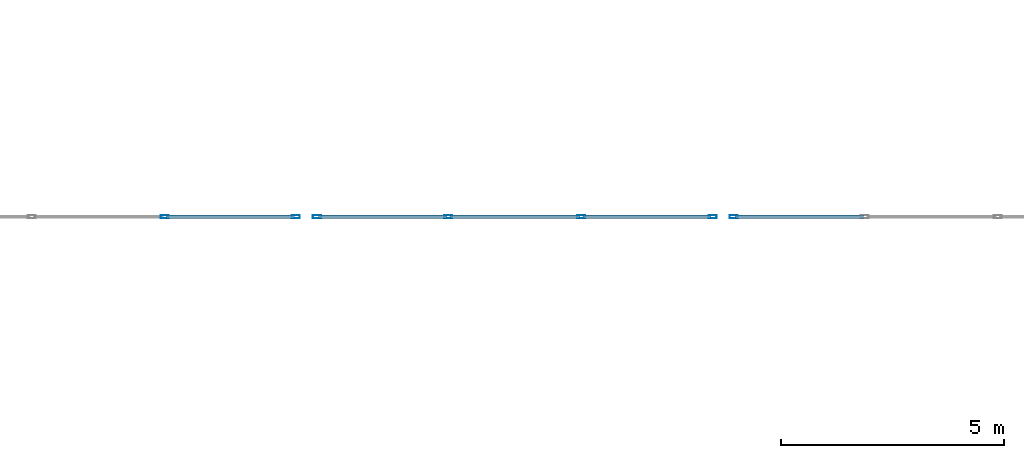
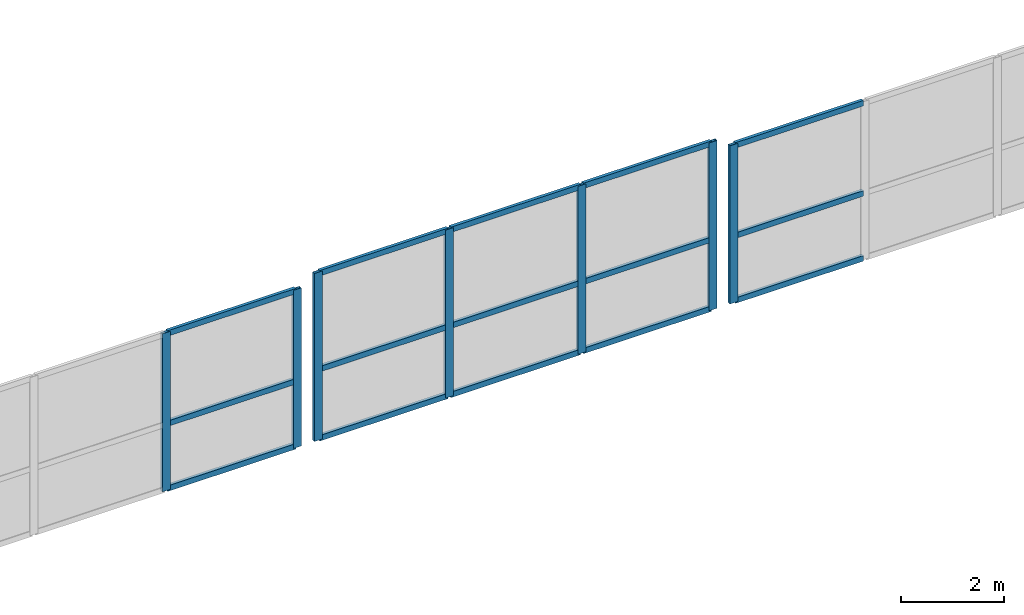
# One storey, part 37 of 60: 22 members, 3 elements without a shape of their own.
"""IFC4 building model written with IfcOpenShell, lengths in metres."""

from ifc_helpers import new_model, si_unit, direction, frame, origin, origin_2d, place, context, subcontext, project, spatial, hollow_rectangle, extrude, material, layer, layer_set, material_profile, profile_set, type_object, element, aggregate, save


model = new_model("IFC4")

# Units and contexts
model_context = context("Model", 3, precision=1e-05, world=origin(), true_north=direction((0.0, 1.0)))
body_context = subcontext(model_context, "Body", "Model", "MODEL_VIEW")
ifc_project = project(units=[si_unit("LENGTHUNIT", "METRE"), si_unit("AREAUNIT", "SQUARE_METRE"), si_unit("VOLUMEUNIT", "CUBIC_METRE"), si_unit("PLANEANGLEUNIT", "RADIAN"), si_unit("MASSUNIT", "GRAM", prefix="KILO")], contexts=[model_context])

# Site, building, storey
site_placement = place(None, origin())
site = spatial("IfcSite", under=ifc_project, at=site_placement, CompositionType="ELEMENT")
building_placement = place(site_placement, origin())
building = spatial("IfcBuilding", under=site, at=building_placement, Name="Quillay Park Conservatory", CompositionType="ELEMENT")
storey_placement = place(building_placement, frame((0.0, 0.0, 9.89990234375)))
storey = spatial("IfcBuildingStorey", under=building, at=storey_placement, Name="L02", CompositionType="ELEMENT", Elevation=9.89990234375)

# Curtain wall, members
ifc_material_1 = material(Name="Thermally Broken Anodised Aluminium 6063-T6", Category="aluminium")
ifc_layer = layer(ifc_material_1, 0.219970703125)
ifc_layer_set = layer_set([ifc_layer], Name="UNITISED CURTAIN WALL CONSERVATORY (Thermally Broken Anodised Aluminium 6063-T6)")
curtain_wall_type = type_object("IfcCurtainWallType", Name="UNITISED CURTAIN WALL CONSERVATORY", PredefinedType="USERDEFINED", material=ifc_layer_set)
curtain_wall_1_placement = place(storey_placement, origin())
curtain_wall_1 = element("IfcCurtainWall", 1, at=curtain_wall_1_placement, inside=storey, type_object=curtain_wall_type, Name="L02 Unitised Curtain Wall 190", ObjectType="UNITISED CURTAIN WALL", PredefinedType="USERDEFINED")
ifc_material_2 = material(Name="Thermally Broken Anodised Aluminium 6063-T6", Category="aluminium")
ifc_material_profile_1 = material_profile(ifc_material_2, hollow_rectangle(XDim=0.070068359375, YDim=0.179931640625, WallThickness=0.00390625, at=origin_2d()), Name="AL70x180x4")
ifc_profile_set_1 = profile_set([ifc_material_profile_1], Name="Thermally Broken Anodised Aluminium 6063-T6")
member_type_1 = type_object("IfcMemberType", Name="CURTAIN WALL MULLION 70 X180", PredefinedType="MULLION", material=ifc_profile_set_1)
member_1_placement = place(storey_placement, frame((67.835205078125, 85.550048828125, 0.7001953125), z_axis=(0.0, 0.0, 1.0), x_axis=(0.0, -1.0, 0.0)))
member_1 = element("IfcMember", 2, at=member_1_placement, type_object=member_type_1, Name="CW-C1 mullion 1", PredefinedType="MULLION", context=body_context, shape_type="SweptSolid", body=[
    extrude(hollow_rectangle(XDim=0.070068359375, YDim=0.179931640625, WallThickness=0.00390625, at=origin_2d()), origin(), (0.0, 0.0, 1.0), 3.763427734375),
])
member_2_placement = place(storey_placement, frame((64.886474609375, 85.550048828125, 0.7001953125), z_axis=(0.0, 0.0, 1.0), x_axis=(0.0, -1.0, 0.0)))
member_2 = element("IfcMember", 3, at=member_2_placement, type_object=member_type_1, Name="CW-C1 mullion 2", PredefinedType="MULLION", context=body_context, shape_type="SweptSolid", body=[
    extrude(hollow_rectangle(XDim=0.070068359375, YDim=0.179931640625, WallThickness=0.00390625, at=origin_2d()), origin(), (0.0, 0.0, 1.0), 3.763427734375),
])

curtain_wall_2_placement = place(storey_placement, origin())
curtain_wall_2 = element("IfcCurtainWall", 4, at=curtain_wall_2_placement, inside=storey, type_object=curtain_wall_type, Name="L02 Unitised Curtain Wall 191", ObjectType="UNITISED CURTAIN WALL", PredefinedType="USERDEFINED")
member_3_placement = place(storey_placement, frame((77.19091796875, 85.550048828125, 0.7001953125), z_axis=(0.0, 0.0, 1.0), x_axis=(0.0, -1.0, 0.0)))
member_3 = element("IfcMember", 5, at=member_3_placement, type_object=member_type_1, Name="CW-C1 mullion 1", PredefinedType="MULLION", context=body_context, shape_type="SweptSolid", body=[
    extrude(hollow_rectangle(XDim=0.070068359375, YDim=0.179931640625, WallThickness=0.00390625, at=origin_2d()), origin(), (0.0, 0.0, 1.0), 3.997802734375),
])
member_4_placement = place(storey_placement, frame((74.241943359375, 85.550048828125, 0.7001953125), z_axis=(0.0, 0.0, 1.0), x_axis=(0.0, -1.0, 0.0)))
member_4 = element("IfcMember", 6, at=member_4_placement, type_object=member_type_1, Name="CW-C1 mullion 2", PredefinedType="MULLION", context=body_context, shape_type="SweptSolid", body=[
    extrude(hollow_rectangle(XDim=0.070068359375, YDim=0.179931640625, WallThickness=0.00390625, at=origin_2d()), origin(), (0.0, 0.0, 1.0), 3.997802734375),
])
member_5_placement = place(storey_placement, frame((71.258056640625, 85.550048828125, 0.7001953125), z_axis=(0.0, 0.0, 1.0), x_axis=(0.0, -1.0, 0.0)))
member_5 = element("IfcMember", 7, at=member_5_placement, type_object=member_type_1, Name="CW-C1 mullion 3", PredefinedType="MULLION", context=body_context, shape_type="SweptSolid", body=[
    extrude(hollow_rectangle(XDim=0.070068359375, YDim=0.179931640625, WallThickness=0.00390625, at=origin_2d()), origin(), (0.0, 0.0, 1.0), 3.997802734375),
])
member_6_placement = place(storey_placement, frame((68.30908203125, 85.550048828125, 0.7001953125), z_axis=(0.0, 0.0, 1.0), x_axis=(0.0, -1.0, 0.0)))
member_6 = element("IfcMember", 8, at=member_6_placement, type_object=member_type_1, Name="CW-C1 mullion 4", PredefinedType="MULLION", context=body_context, shape_type="SweptSolid", body=[
    extrude(hollow_rectangle(XDim=0.070068359375, YDim=0.179931640625, WallThickness=0.00390625, at=origin_2d()), origin(), (0.0, 0.0, 1.0), 3.997802734375),
])

# Curtain wall, member
curtain_wall_3_placement = place(storey_placement, origin())
curtain_wall_3 = element("IfcCurtainWall", 9, at=curtain_wall_3_placement, inside=storey, type_object=curtain_wall_type, Name="L02 Unitised Curtain Wall 192", ObjectType="UNITISED CURTAIN WALL", PredefinedType="USERDEFINED")
member_7_placement = place(storey_placement, frame((77.664794921875, 85.550048828125, 0.7001953125), z_axis=(0.0, 0.0, 1.0), x_axis=(0.0, -1.0, 0.0)))
member_7 = element("IfcMember", 10, at=member_7_placement, type_object=member_type_1, Name="CW-C1 mullion 4", PredefinedType="MULLION", context=body_context, shape_type="SweptSolid", body=[
    extrude(hollow_rectangle(XDim=0.070068359375, YDim=0.179931640625, WallThickness=0.00390625, at=origin_2d()), origin(), (0.0, 0.0, 1.0), 3.763427734375),
])

# Member
ifc_material_3 = material(Name="Thermally Broken Anodised Aluminium 6063-T6", Category="aluminium")
ifc_material_profile_2 = material_profile(ifc_material_3, hollow_rectangle(XDim=0.070068359375, YDim=0.1298828125, WallThickness=0.003173828125, at=origin_2d()), Name="AL70x130x3.2")
ifc_profile_set_2 = profile_set([ifc_material_profile_2], Name="Thermally Broken Anodised Aluminium 6063-T6")
member_type_2 = type_object("IfcMemberType", Name="CURTAIN WALL TRANSOM 70 X130", PredefinedType="USERDEFINED", material=ifc_profile_set_2)
member_8_placement = place(storey_placement, frame((67.80029296875, 85.550048828125, 0.735107421875), z_axis=(-1.0, 0.0, 0.0), x_axis=(0.0, -1.0, 0.0)))
member_8 = element("IfcMember", 11, at=member_8_placement, type_object=member_type_2, Name="CW-C1 transom 1.1", ObjectType="TRANSOM", PredefinedType="USERDEFINED", context=body_context, shape_type="SweptSolid", body=[
    extrude(hollow_rectangle(XDim=0.070068359375, YDim=0.1298828125, WallThickness=0.003173828125, at=origin_2d()), origin(), (0.0, 0.0, 1.0), 2.87890625),
])

member_9_placement = place(storey_placement, frame((67.80029296875, 85.550048828125, 2.28076171875), z_axis=(-1.0, 0.0, 0.0), x_axis=(0.0, -1.0, 0.0)))
member_9 = element("IfcMember", 12, at=member_9_placement, type_object=member_type_2, Name="CW-C1 transom 1.2", ObjectType="TRANSOM", PredefinedType="USERDEFINED", context=body_context, shape_type="SweptSolid", body=[
    extrude(hollow_rectangle(XDim=0.070068359375, YDim=0.1298828125, WallThickness=0.003173828125, at=origin_2d()), origin(), (0.0, 0.0, 1.0), 2.87890625),
])

member_10_placement = place(storey_placement, frame((67.80029296875, 85.550048828125, 4.4287109375), z_axis=(-1.0, 0.0, 0.0), x_axis=(0.0, -1.0, 0.0)))
member_10 = element("IfcMember", 13, at=member_10_placement, type_object=member_type_2, Name="CW-C1 transom 1.3", ObjectType="TRANSOM", PredefinedType="USERDEFINED", context=body_context, shape_type="SweptSolid", body=[
    extrude(hollow_rectangle(XDim=0.070068359375, YDim=0.1298828125, WallThickness=0.003173828125, at=origin_2d()), origin(), (0.0, 0.0, 1.0), 2.87890625),
])

aggregate(curtain_wall_1, [member_1, member_2, member_8, member_9, member_10])

member_11_placement = place(storey_placement, frame((77.15576171875, 85.550048828125, 0.735107421875), z_axis=(-1.0, 0.0, 0.0), x_axis=(0.0, -1.0, 0.0)))
member_11 = element("IfcMember", 14, at=member_11_placement, type_object=member_type_2, Name="CW-C1 transom 1.1", ObjectType="TRANSOM", PredefinedType="USERDEFINED", context=body_context, shape_type="SweptSolid", body=[
    extrude(hollow_rectangle(XDim=0.070068359375, YDim=0.1298828125, WallThickness=0.003173828125, at=origin_2d()), origin(), (0.0, 0.0, 1.0), 2.87890625),
])

member_12_placement = place(storey_placement, frame((77.15576171875, 85.550048828125, 2.379150390625), z_axis=(-1.0, 0.0, 0.0), x_axis=(0.0, -1.0, 0.0)))
member_12 = element("IfcMember", 15, at=member_12_placement, type_object=member_type_2, Name="CW-C1 transom 1.2", ObjectType="TRANSOM", PredefinedType="USERDEFINED", context=body_context, shape_type="SweptSolid", body=[
    extrude(hollow_rectangle(XDim=0.070068359375, YDim=0.1298828125, WallThickness=0.003173828125, at=origin_2d()), origin(), (0.0, 0.0, 1.0), 2.87890625),
])

member_13_placement = place(storey_placement, frame((77.15576171875, 85.550048828125, 4.6630859375), z_axis=(-1.0, 0.0, 0.0), x_axis=(0.0, -1.0, 0.0)))
member_13 = element("IfcMember", 16, at=member_13_placement, type_object=member_type_2, Name="CW-C1 transom 1.3", ObjectType="TRANSOM", PredefinedType="USERDEFINED", context=body_context, shape_type="SweptSolid", body=[
    extrude(hollow_rectangle(XDim=0.070068359375, YDim=0.1298828125, WallThickness=0.003173828125, at=origin_2d()), origin(), (0.0, 0.0, 1.0), 2.87890625),
])

member_14_placement = place(storey_placement, frame((74.20703125, 85.550048828125, 0.735107421875), z_axis=(-1.0, 0.0, 0.0), x_axis=(0.0, -1.0, 0.0)))
member_14 = element("IfcMember", 17, at=member_14_placement, type_object=member_type_2, Name="CW-C1 transom 2.1", ObjectType="TRANSOM", PredefinedType="USERDEFINED", context=body_context, shape_type="SweptSolid", body=[
    extrude(hollow_rectangle(XDim=0.070068359375, YDim=0.1298828125, WallThickness=0.003173828125, at=origin_2d()), origin(), (0.0, 0.0, 1.0), 2.9140625),
])

member_15_placement = place(storey_placement, frame((74.20703125, 85.550048828125, 2.379150390625), z_axis=(-1.0, 0.0, 0.0), x_axis=(0.0, -1.0, 0.0)))
member_15 = element("IfcMember", 18, at=member_15_placement, type_object=member_type_2, Name="CW-C1 transom 2.2", ObjectType="TRANSOM", PredefinedType="USERDEFINED", context=body_context, shape_type="SweptSolid", body=[
    extrude(hollow_rectangle(XDim=0.070068359375, YDim=0.1298828125, WallThickness=0.003173828125, at=origin_2d()), origin(), (0.0, 0.0, 1.0), 2.9140625),
])

member_16_placement = place(storey_placement, frame((74.20703125, 85.550048828125, 4.6630859375), z_axis=(-1.0, 0.0, 0.0), x_axis=(0.0, -1.0, 0.0)))
member_16 = element("IfcMember", 19, at=member_16_placement, type_object=member_type_2, Name="CW-C1 transom 2.3", ObjectType="TRANSOM", PredefinedType="USERDEFINED", context=body_context, shape_type="SweptSolid", body=[
    extrude(hollow_rectangle(XDim=0.070068359375, YDim=0.1298828125, WallThickness=0.003173828125, at=origin_2d()), origin(), (0.0, 0.0, 1.0), 2.9140625),
])

member_17_placement = place(storey_placement, frame((71.22314453125, 85.550048828125, 0.735107421875), z_axis=(-1.0, 0.0, 0.0), x_axis=(0.0, -1.0, 0.0)))
member_17 = element("IfcMember", 20, at=member_17_placement, type_object=member_type_2, Name="CW-C1 transom 3.1", ObjectType="TRANSOM", PredefinedType="USERDEFINED", context=body_context, shape_type="SweptSolid", body=[
    extrude(hollow_rectangle(XDim=0.070068359375, YDim=0.1298828125, WallThickness=0.003173828125, at=origin_2d()), origin(), (0.0, 0.0, 1.0), 2.87890625),
])

member_18_placement = place(storey_placement, frame((71.22314453125, 85.550048828125, 2.379150390625), z_axis=(-1.0, 0.0, 0.0), x_axis=(0.0, -1.0, 0.0)))
member_18 = element("IfcMember", 21, at=member_18_placement, type_object=member_type_2, Name="CW-C1 transom 3.2", ObjectType="TRANSOM", PredefinedType="USERDEFINED", context=body_context, shape_type="SweptSolid", body=[
    extrude(hollow_rectangle(XDim=0.070068359375, YDim=0.1298828125, WallThickness=0.003173828125, at=origin_2d()), origin(), (0.0, 0.0, 1.0), 2.87890625),
])

member_19_placement = place(storey_placement, frame((71.22314453125, 85.550048828125, 4.6630859375), z_axis=(-1.0, 0.0, 0.0), x_axis=(0.0, -1.0, 0.0)))
member_19 = element("IfcMember", 22, at=member_19_placement, type_object=member_type_2, Name="CW-C1 transom 3.3", ObjectType="TRANSOM", PredefinedType="USERDEFINED", context=body_context, shape_type="SweptSolid", body=[
    extrude(hollow_rectangle(XDim=0.070068359375, YDim=0.1298828125, WallThickness=0.003173828125, at=origin_2d()), origin(), (0.0, 0.0, 1.0), 2.87890625),
])

aggregate(curtain_wall_2, [member_3, member_4, member_5, member_6, member_11, member_12, member_13, member_14, member_15, member_16, member_17, member_18, member_19])

member_20_placement = place(storey_placement, frame((80.57861328125, 85.550048828125, 0.735107421875), z_axis=(-1.0, 0.0, 0.0), x_axis=(0.0, -1.0, 0.0)))
member_20 = element("IfcMember", 23, at=member_20_placement, type_object=member_type_2, Name="CW-C1 transom 3.1", ObjectType="TRANSOM", PredefinedType="USERDEFINED", context=body_context, shape_type="SweptSolid", body=[
    extrude(hollow_rectangle(XDim=0.070068359375, YDim=0.1298828125, WallThickness=0.003173828125, at=origin_2d()), origin(), (0.0, 0.0, 1.0), 2.87890625),
])

member_21_placement = place(storey_placement, frame((80.57861328125, 85.550048828125, 2.28076171875), z_axis=(-1.0, 0.0, 0.0), x_axis=(0.0, -1.0, 0.0)))
member_21 = element("IfcMember", 24, at=member_21_placement, type_object=member_type_2, Name="CW-C1 transom 3.2", ObjectType="TRANSOM", PredefinedType="USERDEFINED", context=body_context, shape_type="SweptSolid", body=[
    extrude(hollow_rectangle(XDim=0.070068359375, YDim=0.1298828125, WallThickness=0.003173828125, at=origin_2d()), origin(), (0.0, 0.0, 1.0), 2.87890625),
])

member_22_placement = place(storey_placement, frame((80.57861328125, 85.550048828125, 4.4287109375), z_axis=(-1.0, 0.0, 0.0), x_axis=(0.0, -1.0, 0.0)))
member_22 = element("IfcMember", 25, at=member_22_placement, type_object=member_type_2, Name="CW-C1 transom 3.3", ObjectType="TRANSOM", PredefinedType="USERDEFINED", context=body_context, shape_type="SweptSolid", body=[
    extrude(hollow_rectangle(XDim=0.070068359375, YDim=0.1298828125, WallThickness=0.003173828125, at=origin_2d()), origin(), (0.0, 0.0, 1.0), 2.87890625),
])

aggregate(curtain_wall_3, [member_7, member_20, member_21, member_22])

save(model, "model.ifc")
